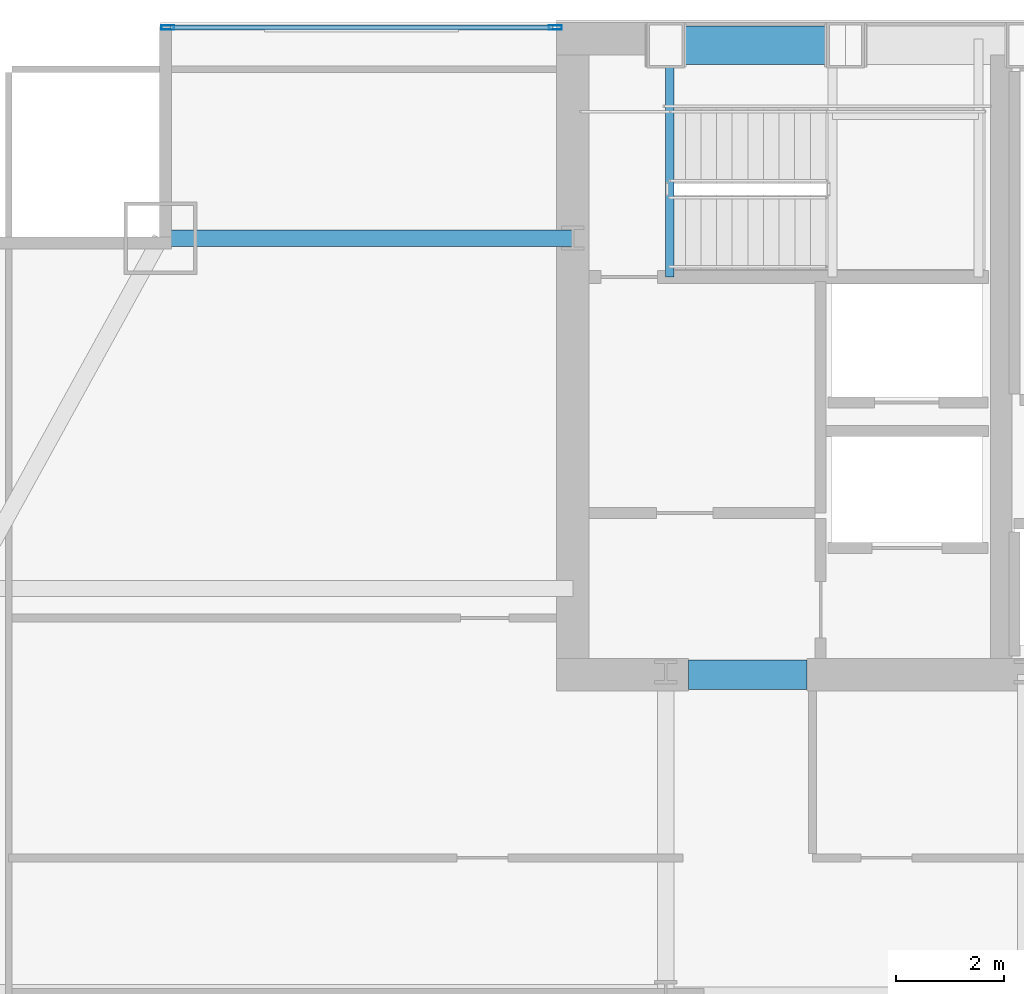
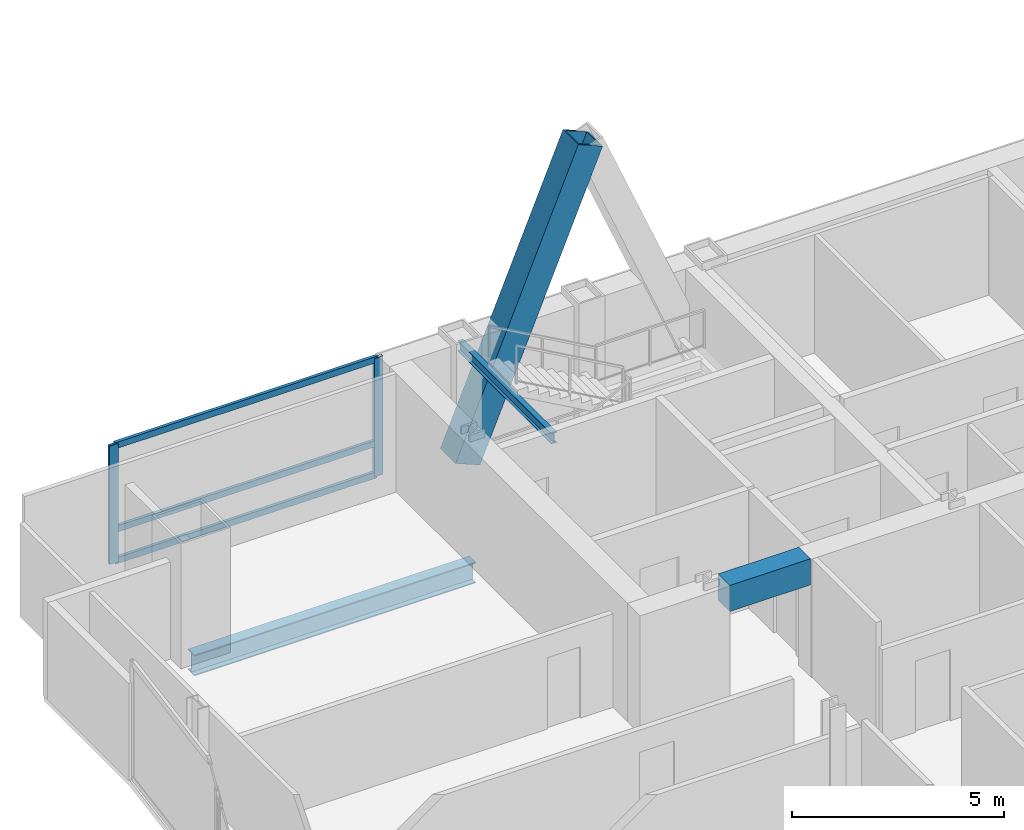
# One storey, part 18 of 29: 6 members, 3 beams, 1 element without a shape of its own.
"""IFC4 building model written with IfcOpenShell, lengths in metres."""

from ifc_helpers import new_model, si_unit, direction, frame, origin, origin_2d, place, context, subcontext, project, spatial, rectangle, hollow_rectangle, i_section, extrude, material, material_profile, profile_set, type_object, element, aggregate, save


model = new_model("IFC4")

# Units and contexts
model_context = context("Model", 3, precision=1e-05, world=origin(), true_north=direction((0.0, 1.0)))
body_context = subcontext(model_context, "Body", "Model", "MODEL_VIEW")
ifc_project = project(units=[si_unit("LENGTHUNIT", "METRE"), si_unit("AREAUNIT", "SQUARE_METRE"), si_unit("VOLUMEUNIT", "CUBIC_METRE"), si_unit("PLANEANGLEUNIT", "RADIAN"), si_unit("MASSUNIT", "GRAM", prefix="KILO")], contexts=[model_context])

# Site, building, storey
site_placement = place(None, origin())
site = spatial("IfcSite", under=ifc_project, at=site_placement, CompositionType="ELEMENT")
building_placement = place(site_placement, origin())
building = spatial("IfcBuilding", under=site, at=building_placement, Name="Khoronbel Lancet Exchange", CompositionType="ELEMENT")
storey_placement = place(building_placement, frame((0.0, 0.0, 180.60009765625)))
storey = spatial("IfcBuildingStorey", under=building, at=storey_placement, Name="L45", CompositionType="ELEMENT", Elevation=180.60009765625)

# Beams
ifc_material_1 = material(Name="Steel S355", Category="steel")
ifc_material_profile_1 = material_profile(ifc_material_1, i_section(OverallWidth=0.14990234375, OverallDepth=0.300048828125, WebThickness=0.007080078125, FlangeThickness=0.0107421875, at=origin_2d()), Name="IPE 300")
ifc_profile_set_1 = profile_set([ifc_material_profile_1], Name="Steel S355")
beam_type_1 = type_object("IfcBeamType", Name="BM-BJ8", PredefinedType="JOIST", material=ifc_profile_set_1)
beam_1_placement = place(storey_placement, frame((18.300048828125, 48.97998046875, 3.119873046875), z_axis=(0.0, 1.0, 0.0), x_axis=(-1.0, 0.0, 0.0)))
element("IfcBeam", 1, at=beam_1_placement, inside=storey, type_object=beam_type_1, Name="Level L45 stair ST1 upper-flight arrival trimmer beam", PredefinedType="JOIST", context=body_context, shape_type="SweptSolid", body=[
    extrude(i_section(OverallWidth=0.14990234375, OverallDepth=0.300048828125, WebThickness=0.007080078125, FlangeThickness=0.0107421875, at=origin_2d()), origin(), (0.0, 0.0, 1.0), 4.419921875),
])
ifc_material_2 = material(Name="Concrete C60/75", Category="concrete")
ifc_material_profile_2 = material_profile(ifc_material_2, rectangle(XDim=0.550048828125, YDim=0.75, at=origin_2d()), Name="RC 550x750")
ifc_profile_set_2 = profile_set([ifc_material_profile_2], Name="Concrete C60/75")
beam_type_2 = type_object("IfcBeamType", Name="BM-BL2", PredefinedType="LINTEL", material=ifc_profile_set_2)
beam_2_placement = place(storey_placement, frame((18.64990234375, 41.60009765625, 3.02490234375), z_axis=(1.0, 0.0, 0.0), x_axis=(0.0, 1.0, 0.0)))
element("IfcBeam", 2, at=beam_2_placement, inside=storey, type_object=beam_type_2, Name="Level L45 rear core coupling lintel L1", PredefinedType="LINTEL", context=body_context, shape_type="SweptSolid", body=[
    extrude(rectangle(XDim=0.550048828125, YDim=0.75, at=origin_2d()), origin(), (0.0, 0.0, 1.0), 2.2001953125),
])
ifc_material_profile_3 = material_profile(ifc_material_1, i_section(OverallWidth=0.300048828125, OverallDepth=0.60009765625, WebThickness=0.015380859375, FlangeThickness=0.030029296875, at=origin_2d()), Name="HEB 600")
ifc_profile_set_3 = profile_set([ifc_material_profile_3], Name="Steel S355")
beam_type_3 = type_object("IfcBeamType", Name="BM-BSP2", PredefinedType="SPANDREL", material=ifc_profile_set_3)
beam_3_placement = place(storey_placement, frame((8.85009765625, 49.699951171875, -0.460205078125), z_axis=(1.0, 0.0, 0.0), x_axis=(0.0, 1.0, 0.0)))
element("IfcBeam", 3, at=beam_3_placement, inside=storey, type_object=beam_type_3, Name="Level L45 north flank tie spandrel SP22", PredefinedType="SPANDREL", context=body_context, shape_type="SweptSolid", body=[
    extrude(i_section(OverallWidth=0.300048828125, OverallDepth=0.60009765625, WebThickness=0.015380859375, FlangeThickness=0.030029296875, at=origin_2d()), origin(), (0.0, 0.0, 1.0), 7.64990234375),
])

# Curtain wall, members
ifc_material_3 = material(Name="Low-E Solar Control Insulating Glass", Category="glass")
curtain_wall_type = type_object("IfcCurtainWallType", Name="CW-3", PredefinedType="NOTDEFINED", material=ifc_material_3)
curtain_wall_placement = place(storey_placement, origin())
curtain_wall = element("IfcCurtainWall", 4, at=curtain_wall_placement, inside=storey, type_object=curtain_wall_type, Name="Unitised curtain wall CW-L45-NWFLK", PredefinedType="NOTDEFINED")
ifc_material_4 = material(Name="Bronze-Anodised Aluminium 6063-T6", Category="aluminium")
ifc_material_profile_4 = material_profile(ifc_material_4, hollow_rectangle(XDim=0.0849609375, YDim=0.239990234375, WallThickness=0.006103515625, at=origin_2d()), Name="ALU MULLION 85x240")
ifc_profile_set_4 = profile_set([ifc_material_profile_4], Name="Bronze-Anodised Aluminium 6063-T6")
member_type_1 = type_object("IfcMemberType", Name="MEM-CWM1", PredefinedType="MULLION", material=ifc_profile_set_4)
member_1_placement = place(storey_placement, frame((16.177490234375, 53.610107421875, 0.0), z_axis=(0.0, 0.0, 1.0), x_axis=(0.0, -1.0, 0.0)))
member_1 = element("IfcMember", 5, at=member_1_placement, type_object=member_type_1, Name="CW3 mullion 1", PredefinedType="MULLION", context=body_context, shape_type="SweptSolid", body=[
    extrude(hollow_rectangle(XDim=0.0849609375, YDim=0.239990234375, WallThickness=0.006103515625, at=origin_2d()), origin(), (0.0, 0.0, 1.0), 3.39990234375),
])
member_2_placement = place(storey_placement, frame((8.982421875, 53.610107421875, 0.0), z_axis=(0.0, 0.0, 1.0), x_axis=(0.0, -1.0, 0.0)))
member_2 = element("IfcMember", 6, at=member_2_placement, type_object=member_type_1, Name="CW3 mullion 2", PredefinedType="MULLION", context=body_context, shape_type="SweptSolid", body=[
    extrude(hollow_rectangle(XDim=0.0849609375, YDim=0.239990234375, WallThickness=0.006103515625, at=origin_2d()), origin(), (0.0, 0.0, 1.0), 3.39990234375),
])
ifc_material_profile_5 = material_profile(ifc_material_4, hollow_rectangle(XDim=0.0849609375, YDim=0.179931640625, WallThickness=0.0048828125, at=origin_2d()), Name="ALU TRANSOM 85x180")
ifc_profile_set_5 = profile_set([ifc_material_profile_5], Name="Bronze-Anodised Aluminium 6063-T6")
member_type_2 = type_object("IfcMemberType", Name="MEM-CWT1", PredefinedType="USERDEFINED", material=ifc_profile_set_5)
member_3_placement = place(storey_placement, frame((16.135009765625, 53.610107421875, 0.04248046875), z_axis=(-1.0, 0.0, 0.0), x_axis=(0.0, -1.0, 0.0)))
member_3 = element("IfcMember", 7, at=member_3_placement, type_object=member_type_2, Name="CW3 transom 1.1", ObjectType="TRANSOM", PredefinedType="USERDEFINED", context=body_context, shape_type="SweptSolid", body=[
    extrude(hollow_rectangle(XDim=0.0849609375, YDim=0.179931640625, WallThickness=0.0048828125, at=origin_2d()), origin(), (0.0, 0.0, 1.0), 7.110107421875),
])
member_4_placement = place(storey_placement, frame((16.135009765625, 53.610107421875, 0.949951171875), z_axis=(-1.0, 0.0, 0.0), x_axis=(0.0, -1.0, 0.0)))
member_4 = element("IfcMember", 8, at=member_4_placement, type_object=member_type_2, Name="CW3 transom 1.2", ObjectType="TRANSOM", PredefinedType="USERDEFINED", context=body_context, shape_type="SweptSolid", body=[
    extrude(hollow_rectangle(XDim=0.0849609375, YDim=0.179931640625, WallThickness=0.0048828125, at=origin_2d()), origin(), (0.0, 0.0, 1.0), 7.110107421875),
])
member_5_placement = place(storey_placement, frame((16.135009765625, 53.610107421875, 3.357421875), z_axis=(-1.0, 0.0, 0.0), x_axis=(0.0, -1.0, 0.0)))
member_5 = element("IfcMember", 9, at=member_5_placement, type_object=member_type_2, Name="CW3 transom 1.3", ObjectType="TRANSOM", PredefinedType="USERDEFINED", context=body_context, shape_type="SweptSolid", body=[
    extrude(hollow_rectangle(XDim=0.0849609375, YDim=0.179931640625, WallThickness=0.0048828125, at=origin_2d()), origin(), (0.0, 0.0, 1.0), 7.110107421875),
])
aggregate(curtain_wall, [member_1, member_2, member_3, member_4, member_5])

# Member
ifc_material_5 = material(Name="Steel S460", Category="steel")
ifc_material_profile_6 = material_profile(ifc_material_5, hollow_rectangle(XDim=0.719970703125, YDim=0.719970703125, WallThickness=0.050048828125, at=origin_2d()), Name="BOX 720x720x50")
ifc_profile_set_6 = profile_set([ifc_material_profile_6], Name="Steel S460")
member_type_3 = type_object("IfcMemberType", Name="MEM-MB2", PredefinedType="BRACE", material=ifc_profile_set_6)
member_6_placement = place(storey_placement, frame((18.22509765625, 53.280029296875, 0.0), z_axis=(0.385015324606, 0.0, 0.922910179713), x_axis=(0.0, 1.0, 0.0)))
element("IfcMember", 10, at=member_6_placement, inside=storey, type_object=member_type_3, Name="Perimeter lancet brace tier 15 N-W-L", PredefinedType="BRACE", context=body_context, shape_type="SweptSolid", body=[
    extrude(hollow_rectangle(XDim=0.719970703125, YDim=0.719970703125, WallThickness=0.050048828125, at=origin_2d()), origin(), (0.0, 0.0, 1.0), 8.668212890625),
])

save(model, "model.ifc")
